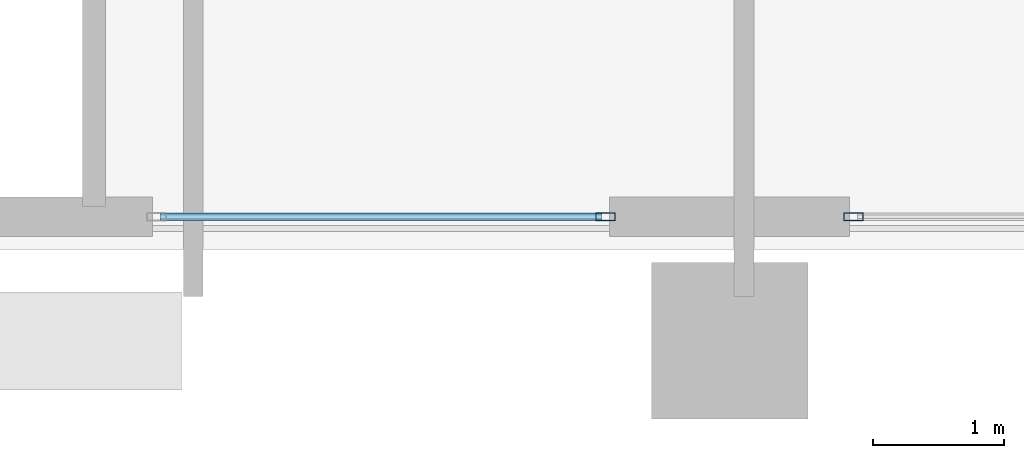
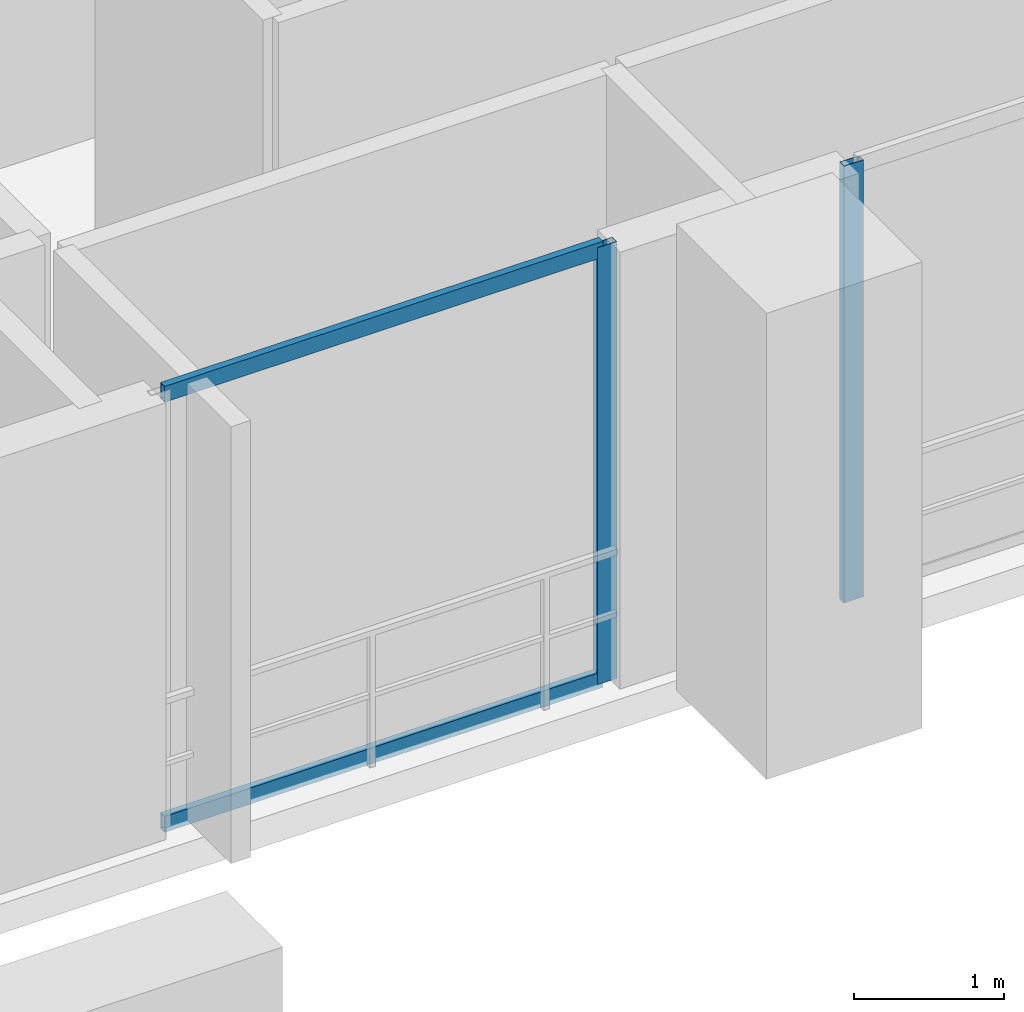
# One storey, part 3 of 26: 4 members, 2 elements without a shape of their own.
"""IFC4 building model written with IfcOpenShell, lengths in metres."""

from ifc_helpers import new_model, si_unit, direction, frame, origin, origin_2d, place, context, subcontext, project, spatial, hollow_rectangle, extrude, material, layer, layer_set, material_profile, profile_set, type_object, element, aggregate, save


model = new_model("IFC4")

# Units and contexts
model_context = context("Model", 3, precision=1e-05, world=origin(), true_north=direction((0.0, 1.0)))
body_context = subcontext(model_context, "Body", "Model", "MODEL_VIEW")
ifc_project = project(units=[si_unit("LENGTHUNIT", "METRE"), si_unit("AREAUNIT", "SQUARE_METRE"), si_unit("VOLUMEUNIT", "CUBIC_METRE"), si_unit("PLANEANGLEUNIT", "RADIAN"), si_unit("MASSUNIT", "GRAM", prefix="KILO")], contexts=[model_context])

# Site, building, storey
site_placement = place(None, origin())
site = spatial("IfcSite", under=ifc_project, at=site_placement, CompositionType="ELEMENT")
building_placement = place(site_placement, origin())
building = spatial("IfcBuilding", under=site, at=building_placement, Name="Zuhayl Quay Hotel", CompositionType="ELEMENT")
storey_placement = place(building_placement, frame((0.0, 0.0, 301.050048828125)))
storey = spatial("IfcBuildingStorey", under=building, at=storey_placement, Name="Crown 2", CompositionType="ELEMENT", Elevation=301.050048828125)

# Curtain wall, member
ifc_material_1 = material(Name="Anodised Aluminium 6063-T6", Category="aluminium")
ifc_layer = layer(ifc_material_1, 0.159912109375, Name="Anodised Aluminium 6063-T6", Category="aluminium")
ifc_layer_set = layer_set([ifc_layer], Name="Anodised Aluminium 6063-T6")
curtain_wall_type = type_object("IfcCurtainWallType", Name="CW_SYS_CRN", PredefinedType="USERDEFINED", material=ifc_layer_set)
curtain_wall_1_placement = place(storey_placement, origin())
curtain_wall_1 = element("IfcCurtainWall", 1, at=curtain_wall_1_placement, inside=storey, type_object=curtain_wall_type, Name="Crown 2 Curtain Wall ENV_CR2_E7_CW2", ObjectType="UNITISED CURTAIN WALL", PredefinedType="USERDEFINED")
ifc_material_2 = material(Name="Black-anodised aluminium 6063-T6", Category="aluminium")
ifc_material_profile_1 = material_profile(ifc_material_2, hollow_rectangle(XDim=0.06005859375, YDim=0.14990234375, WallThickness=0.00341796875, at=origin_2d()), Name="ALU150X60")
ifc_profile_set_1 = profile_set([ifc_material_profile_1], Name="Black-anodised aluminium 6063-T6")
member_type_1 = type_object("IfcMemberType", Name="MB_CW_MUL_150", PredefinedType="MULLION", material=ifc_profile_set_1)
member_1_placement = place(storey_placement, frame((-3.64990234375, 3.10009765625, 0.0), z_axis=(0.0, 0.0, 1.0), x_axis=(0.0, -1.0, 0.0)))
member_1 = element("IfcMember", 2, at=member_1_placement, type_object=member_type_1, Name="CW-CRN mullion 2", PredefinedType="MULLION", context=body_context, shape_type="SweptSolid", body=[
    extrude(hollow_rectangle(XDim=0.06005859375, YDim=0.14990234375, WallThickness=0.00341796875, at=origin_2d()), origin(), (0.0, 0.0, 1.0), 3.56005859375),
])
aggregate(curtain_wall_1, [member_1])

# Curtain wall, members
curtain_wall_2_placement = place(storey_placement, origin())
curtain_wall_2 = element("IfcCurtainWall", 3, at=curtain_wall_2_placement, inside=storey, type_object=curtain_wall_type, Name="Crown 2 Curtain Wall ENV_CR2_E7_CW3", ObjectType="UNITISED CURTAIN WALL", PredefinedType="USERDEFINED")
member_2_placement = place(storey_placement, frame((-5.550048828125, 3.10009765625, 0.0), z_axis=(0.0, 0.0, 1.0), x_axis=(0.0, -1.0, 0.0)))
member_2 = element("IfcMember", 4, at=member_2_placement, type_object=member_type_1, Name="CW-CRN mullion 1", PredefinedType="MULLION", context=body_context, shape_type="SweptSolid", body=[
    extrude(hollow_rectangle(XDim=0.06005859375, YDim=0.14990234375, WallThickness=0.00341796875, at=origin_2d()), origin(), (0.0, 0.0, 1.0), 3.56005859375),
])
ifc_material_profile_2 = material_profile(ifc_material_2, hollow_rectangle(XDim=0.054931640625, YDim=0.1298828125, WallThickness=0.0029296875, at=origin_2d()), Name="ALU130X55")
ifc_profile_set_2 = profile_set([ifc_material_profile_2], Name="Black-anodised aluminium 6063-T6")
member_type_2 = type_object("IfcMemberType", Name="MB_CW_TRN_130", PredefinedType="USERDEFINED", material=ifc_profile_set_2)
member_3_placement = place(storey_placement, frame((-5.580078125, 3.10009765625, 0.02734375), z_axis=(-1.0, 0.0, 0.0), x_axis=(0.0, -1.0, 0.0)))
member_3 = element("IfcMember", 5, at=member_3_placement, type_object=member_type_2, Name="CW-CRN transom 1.1", ObjectType="TRANSOM", PredefinedType="USERDEFINED", context=body_context, shape_type="SweptSolid", body=[
    extrude(hollow_rectangle(XDim=0.054931640625, YDim=0.1298828125, WallThickness=0.0029296875, at=origin_2d()), origin(), (0.0, 0.0, 1.0), 3.3798828125),
])
member_4_placement = place(storey_placement, frame((-5.580078125, 3.10009765625, 3.532470703125), z_axis=(-1.0, 0.0, 0.0), x_axis=(0.0, -1.0, 0.0)))
member_4 = element("IfcMember", 6, at=member_4_placement, type_object=member_type_2, Name="CW-CRN transom 1.2", ObjectType="TRANSOM", PredefinedType="USERDEFINED", context=body_context, shape_type="SweptSolid", body=[
    extrude(hollow_rectangle(XDim=0.054931640625, YDim=0.1298828125, WallThickness=0.0029296875, at=origin_2d()), origin(), (0.0, 0.0, 1.0), 3.3798828125),
])
aggregate(curtain_wall_2, [member_2, member_3, member_4])

save(model, "model.ifc")
